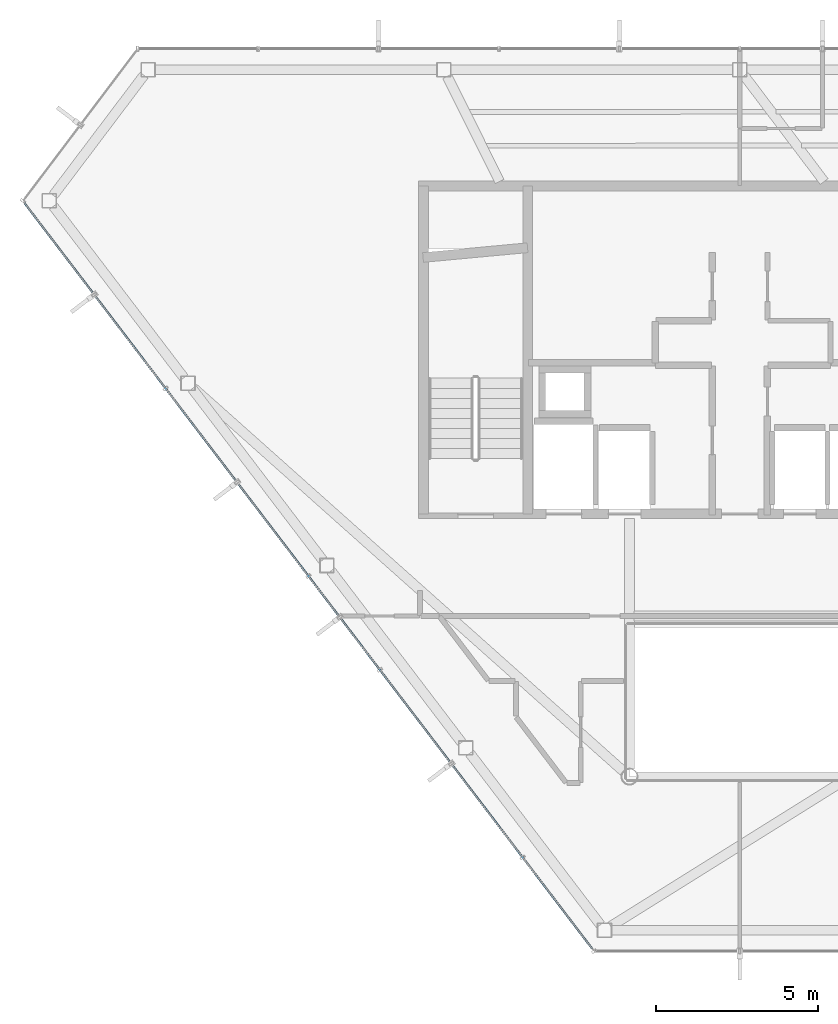
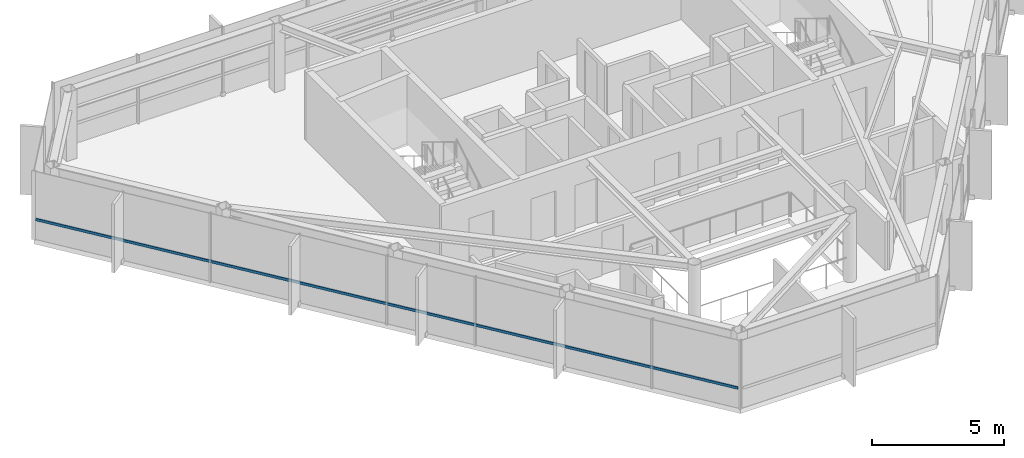
# One storey, part 6 of 23: 1 member, 1 element without a shape of its own.
"""IFC4 building model written with IfcOpenShell, lengths in metres."""

import ifcopenshell
import ifcopenshell.guid

model = None  # the IFC model being written
_history = None  # IfcOwnerHistory: only IFC2X3 demands one
_inside = {}  # id of a spatial element -> (the spatial element, [elements in it])
_under = {}  # id of a project, library or spatial element -> (it, [spatial elements below it])
_declared = {}  # id of a project -> (the project, [libraries it declares])
_typed = {}  # id of a type object -> (the type object, [elements of that type])
_made_of = {}  # id of a material, layer set ... -> (it, [elements and type objects made of it])


def new_model(schema):
    """Start an empty IFC model of exactly this schema.

    Asked for "IFC4X3", IfcOpenShell would pick the latest addendum, in which some entities
    have other attributes; the version numbers below select the first issue.
    IFC2X3 requires an IfcOwnerHistory on every rooted entity: one is made here for all.
    """
    global model, _history
    if schema == "IFC4X3":
        model = ifcopenshell.file(schema_version=(4, 3, 0, 0))
    else:
        model = ifcopenshell.file(schema=schema)
    _inside.clear()
    _under.clear()
    _declared.clear()
    _typed.clear()
    _made_of.clear()
    _history = None
    if model.schema == "IFC2X3":
        org = make("IfcOrganization", Name="unknown")
        user = make(
            "IfcPersonAndOrganization",
            ThePerson=make("IfcPerson", FamilyName="unknown"),
            TheOrganization=org,
        )
        app = make(
            "IfcApplication",
            ApplicationDeveloper=org,
            Version="unknown",
            ApplicationFullName="unknown",
            ApplicationIdentifier="unknown",
        )
        _history = make(
            "IfcOwnerHistory",
            OwningUser=user,
            OwningApplication=app,
            ChangeAction="ADDED",
            CreationDate=0,
        )
    return model


def make(cls, **values):
    """One entity of the class cls with the attributes given. An attribute that is None is left unset."""
    return model.create_entity(
        cls, **{name: value for name, value in values.items() if value is not None}
    )


def rooted(cls, **values):
    """An entity with a GlobalId (a new one), such as an element, a storey or a relation."""
    return make(cls, GlobalId=ifcopenshell.guid.new(), OwnerHistory=_history, **values)


def si_unit(unit_type, name, prefix=None):
    """IfcSIUnit, for example si_unit("LENGTHUNIT", "METRE", prefix="MILLI")."""
    return make("IfcSIUnit", UnitType=unit_type, Prefix=prefix, Name=name)


def assignment(units):
    """IfcUnitAssignment: the units of a project."""
    return None if units is None else make("IfcUnitAssignment", Units=units)


def point(xyz):
    """IfcCartesianPoint."""
    return None if xyz is None else make("IfcCartesianPoint", Coordinates=xyz)


def direction(xyz):
    """IfcDirection."""
    return None if xyz is None else make("IfcDirection", DirectionRatios=xyz)


def frame(location, z_axis=None, x_axis=None):
    """IfcAxis2Placement3D, a coordinate frame: its origin and axes. An axis left out is left unset."""
    return make(
        "IfcAxis2Placement3D",
        Location=point(location),
        Axis=direction(z_axis),
        RefDirection=direction(x_axis),
    )


def frame_2d(location, x_axis=None):
    """IfcAxis2Placement2D, a coordinate frame in the plane: its origin and x axis."""
    return make(
        "IfcAxis2Placement2D", Location=point(location), RefDirection=direction(x_axis)
    )


def origin():
    """The frame at (0, 0, 0) with its axes left unset."""
    return frame((0.0, 0.0, 0.0))


def origin_2d():
    """The frame at (0, 0) in the plane with its x axis left unset."""
    return frame_2d((0.0, 0.0))


def place(relative_to, where):
    """IfcLocalPlacement: puts the frame where relative to a parent placement (None: the world)."""
    return make(
        "IfcLocalPlacement", PlacementRelTo=relative_to, RelativePlacement=where
    )


def context(
    kind, dimensions, precision=None, world=None, true_north=None, identifier=None
):
    """IfcGeometricRepresentationContext, for example the 3D "Model" context."""
    return make(
        "IfcGeometricRepresentationContext",
        ContextIdentifier=identifier,
        ContextType=kind,
        CoordinateSpaceDimension=dimensions,
        Precision=precision,
        WorldCoordinateSystem=world,
        TrueNorth=true_north,
    )


def subcontext(parent, identifier, kind, view, scale=None):
    """IfcGeometricRepresentationSubContext, for example "Body" below "Model"."""
    return make(
        "IfcGeometricRepresentationSubContext",
        ContextIdentifier=identifier,
        ContextType=kind,
        ParentContext=parent,
        TargetScale=scale,
        TargetView=view,
    )


def project(units=None, contexts=None):
    """IfcProject with its units and contexts."""
    return rooted(
        "IfcProject",
        Name="project",
        RepresentationContexts=contexts,
        UnitsInContext=assignment(units),
    )


def spatial(cls, under=None, at=None, **own):
    """A site, building, storey or space (cls), placed at a placement, below another one or the project."""
    s = rooted(cls, ObjectPlacement=at, **own)
    if under is not None:
        _under.setdefault(under.id(), (under, []))[1].append(s)
    return s


def profile(cls, at=None, kind="AREA", **sizes):
    """A parametric profile (cls). Its sizes go by their IFC names, for example OverallWidth=200.0."""
    return make(cls, ProfileType=kind, Position=at, **sizes)


def hollow_rectangle(**sizes):
    """IfcRectangleHollowProfileDef."""
    return profile("IfcRectangleHollowProfileDef", **sizes)


def extrude(swept, where, along, depth):
    """IfcExtrudedAreaSolid: the profile swept, set in the frame where, extruded along a direction by depth."""
    return make(
        "IfcExtrudedAreaSolid",
        SweptArea=swept,
        Position=where,
        ExtrudedDirection=direction(along),
        Depth=depth,
    )


def shape(context_of_items, identifier, shape_type, items):
    """IfcShapeRepresentation: the items that make up one representation, for example the "Body"."""
    return make(
        "IfcShapeRepresentation",
        ContextOfItems=context_of_items,
        RepresentationIdentifier=identifier,
        RepresentationType=shape_type,
        Items=items,
    )


def material(Name=None, Category=None):
    """IfcMaterial."""
    return make("IfcMaterial", Name=Name, Category=Category)


def layer(
    of_material, thickness, ventilated=None, Name=None, Category=None, Priority=None
):
    """IfcMaterialLayer: one layer of a wall or slab, of a material (None: an air gap)."""
    return make(
        "IfcMaterialLayer",
        Material=of_material,
        LayerThickness=thickness,
        IsVentilated=ventilated,
        Name=Name,
        Category=Category,
        Priority=Priority,
    )


def layer_set(layers, Name=None):
    """IfcMaterialLayerSet."""
    return make("IfcMaterialLayerSet", MaterialLayers=layers, LayerSetName=Name)


def material_profile(
    of_material, cross_section, Name=None, Category=None, Priority=None
):
    """IfcMaterialProfile: a cross section and its material."""
    return make(
        "IfcMaterialProfile",
        Name=Name,
        Material=of_material,
        Profile=cross_section,
        Priority=Priority,
        Category=Category,
    )


def profile_set(profiles, Name=None, composite=None):
    """IfcMaterialProfileSet."""
    return make(
        "IfcMaterialProfileSet",
        Name=Name,
        MaterialProfiles=profiles,
        CompositeProfile=composite,
    )


def made_of(thing, what):
    """Note that an element or type object is made of a material, layer set ...; save() writes the relation."""
    if what is not None:
        _made_of.setdefault(what.id(), (what, []))[1].append(thing)
    return thing


def type_object(cls, material=None, **own):
    """A type object (cls), such as IfcWallType, which elements share."""
    return made_of(rooted(cls, **own), material)


def element(
    cls,
    number,
    at=None,
    inside=None,
    cuts=None,
    type_object=None,
    material=None,
    context=None,
    identifier="Body",
    shape_type=None,
    held_by="IfcProductDefinitionShape",
    body=None,
    shapes=None,
    **own,
):
    """One element of the class cls, such as IfcWall. Its Tag is "e" and its number.

    at: its placement. inside: the storey or other place that contains it. cuts: it is an
    opening in that element (IfcRelVoidsElement). A single representation is given by context,
    identifier, shape_type and body (its items); several are given by shapes. held_by: the class
    of the entity that holds the representations. save() writes the other relations.
    """
    e = rooted(cls, Tag="e%d" % number, ObjectPlacement=at, **own)
    if body is not None:
        shapes = [shape(context, identifier, shape_type, body)]
    if shapes is not None:
        e.Representation = make(held_by, Representations=shapes)
    if inside is not None:
        _inside.setdefault(inside.id(), (inside, []))[1].append(e)
    if cuts is not None:
        rooted(
            "IfcRelVoidsElement", RelatingBuildingElement=cuts, RelatedOpeningElement=e
        )
    if type_object is not None:
        _typed.setdefault(type_object.id(), (type_object, []))[1].append(e)
    return made_of(e, material)


def aggregate(whole, parts):
    """IfcRelAggregates: a whole, such as a stair, and the parts it consists of."""
    return rooted("IfcRelAggregates", RelatingObject=whole, RelatedObjects=parts)


def save(model, path):
    """Write the relations noted so far, then the file.

    IfcRelAggregates (storeys below a building ...), IfcRelContainedInSpatialStructure (elements
    in a storey), IfcRelDefinesByType, IfcRelAssociatesMaterial and IfcRelDeclares: one each for
    every whole, place, type object, material and project.
    """
    for whole, parts in _under.values():
        aggregate(whole, parts)
    for where, things in _inside.values():
        rooted(
            "IfcRelContainedInSpatialStructure",
            RelatedElements=things,
            RelatingStructure=where,
        )
    for kind, things in _typed.values():
        rooted("IfcRelDefinesByType", RelatedObjects=things, RelatingType=kind)
    for what, things in _made_of.values():
        rooted("IfcRelAssociatesMaterial", RelatedObjects=things, RelatingMaterial=what)
    for by, libraries in _declared.values():
        rooted("IfcRelDeclares", RelatingContext=by, RelatedDefinitions=libraries)
    model.write(path)


model = new_model("IFC4")

# Units and contexts
model_context = context("Model", 3, precision=1e-05, world=origin(), true_north=direction((0.0, 1.0)))
body_context = subcontext(model_context, "Body", "Model", "MODEL_VIEW")
ifc_project = project(units=[si_unit("LENGTHUNIT", "METRE"), si_unit("AREAUNIT", "SQUARE_METRE"), si_unit("VOLUMEUNIT", "CUBIC_METRE"), si_unit("PLANEANGLEUNIT", "RADIAN"), si_unit("MASSUNIT", "GRAM", prefix="KILO")], contexts=[model_context])

# Site, building, storey
site_placement = place(None, origin())
site = spatial("IfcSite", under=ifc_project, at=site_placement, CompositionType="ELEMENT")
building_placement = place(site_placement, origin())
building = spatial("IfcBuilding", under=site, at=building_placement, Name="Zarrinselat Tower", CompositionType="ELEMENT")
storey_placement = place(building_placement, frame((0.0, 0.0, 278.800048828125)))
storey = spatial("IfcBuildingStorey", under=building, at=storey_placement, Name="L71", CompositionType="ELEMENT", Elevation=278.800048828125)

# Curtain wall, member
ifc_material_1 = material(Name="Extruded Aluminium Alloy EN AW-6063 T6", Category="aluminium")
ifc_layer = layer(ifc_material_1, 0.169921875)
ifc_layer_set = layer_set([ifc_layer], Name="Extruded Aluminium Alloy EN AW-6063 T6")
curtain_wall_type = type_object("IfcCurtainWallType", Name="CWS-RES", PredefinedType="NOTDEFINED", material=ifc_layer_set)
curtain_wall_placement = place(storey_placement, origin())
curtain_wall = element("IfcCurtainWall", 1, at=curtain_wall_placement, inside=storey, type_object=curtain_wall_type, Name="L71 Unitised Curtain Wall CW-L71-E03", PredefinedType="NOTDEFINED")
ifc_material_2 = material(Name="Extruded Aluminium Alloy EN AW-6063 T6", Category="aluminium")
ifc_material_profile = material_profile(ifc_material_2, hollow_rectangle(XDim=0.06005859375, YDim=0.1201171875, WallThickness=0.00390625, at=origin_2d()), Name="RHS 120x60x4")
ifc_profile_set = profile_set([ifc_material_profile], Name="Extruded Aluminium Alloy EN AW-6063 T6")
member_type = type_object("IfcMemberType", Name="MEM-CW-TRN2", PredefinedType="USERDEFINED", material=ifc_profile_set)
member_placement = place(storey_placement, frame((16.358154296875, 42.872314453125, 0.949951171875), z_axis=(0.605768400297, -0.795641027852, 0.0), x_axis=(0.795641027852, 0.605768400297, 0.0)))
member = element("IfcMember", 2, at=member_placement, type_object=member_type, Name="CW-L71-E03 Transom 1", ObjectType="TRANSOM", PredefinedType="USERDEFINED", context=body_context, shape_type="SweptSolid", body=[
    extrude(hollow_rectangle(XDim=0.06005859375, YDim=0.1201171875, WallThickness=0.00390625, at=origin_2d()), origin(), (0.0, 0.0, 1.0), 28.884521484375),
])
aggregate(curtain_wall, [member])

save(model, "model.ifc")
